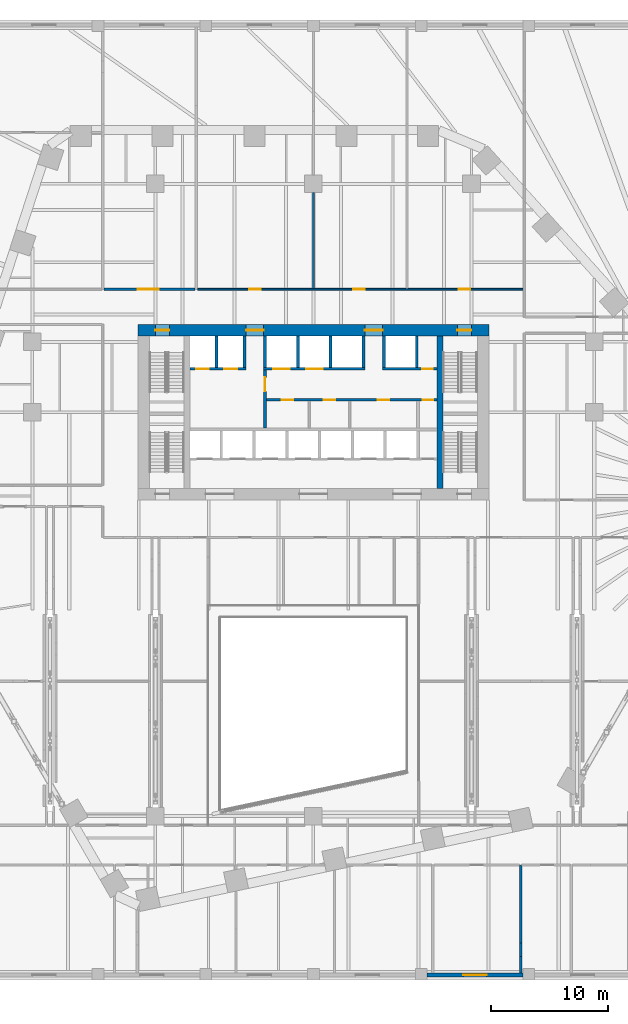
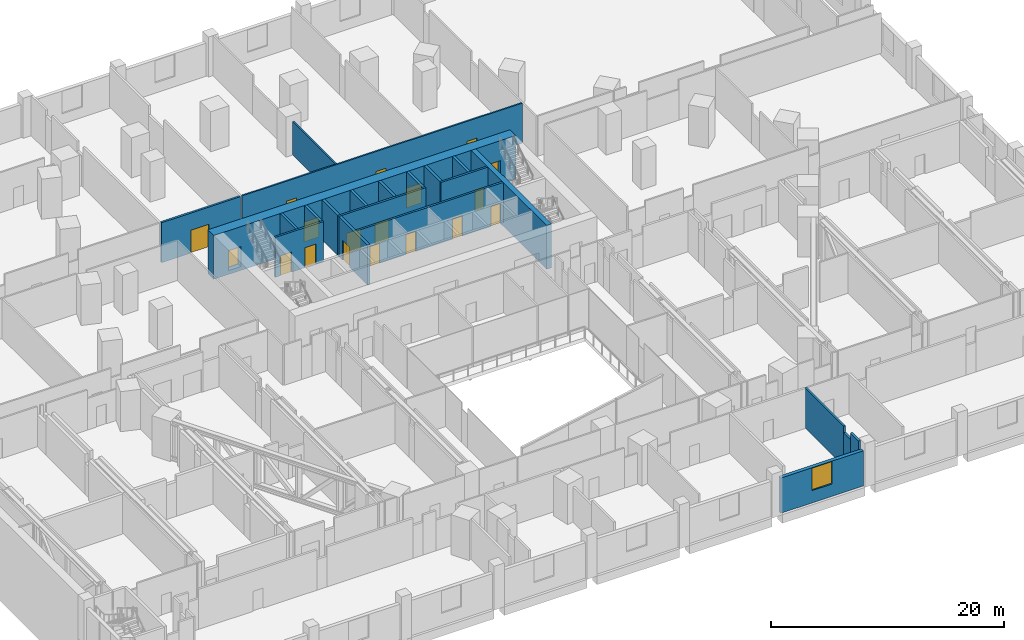
# One storey, part 18 of 32: 22 walls, 18 doors, 1 window, 19 openings.
"""IFC4 building model written with IfcOpenShell, lengths in metres."""

from ifc_helpers import new_model, si_unit, direction, frame, frame_2d, origin, place, context, subcontext, project, spatial, rectangle, extrude, material, layer, layer_set, type_object, element, fill, save


model = new_model("IFC4")

# Units and contexts
model_context = context("Model", 3, precision=1e-05, world=origin(), true_north=direction((0.0, 1.0)))
body_context = subcontext(model_context, "Body", "Model", "MODEL_VIEW")
ifc_project = project(units=[si_unit("LENGTHUNIT", "METRE"), si_unit("AREAUNIT", "SQUARE_METRE"), si_unit("VOLUMEUNIT", "CUBIC_METRE"), si_unit("PLANEANGLEUNIT", "RADIAN"), si_unit("MASSUNIT", "GRAM", prefix="KILO")], contexts=[model_context])

# Site, building, storey
site_placement = place(None, origin())
site = spatial("IfcSite", under=ifc_project, at=site_placement, CompositionType="ELEMENT")
building_placement = place(site_placement, origin())
building = spatial("IfcBuilding", under=site, at=building_placement, Name="Isthmus Gate Tower", CompositionType="ELEMENT")
storey_placement = place(building_placement, frame((0.0, 0.0, 18.0)))
storey = spatial("IfcBuildingStorey", under=building, at=storey_placement, Name="L02", CompositionType="ELEMENT", Elevation=18.0)

# Wall, opening, door
ifc_material_1 = material(Name="Fire-rated blockwork masonry, 15 MPa", Category="masonry")
ifc_layer_1 = layer(ifc_material_1, 0.25)
ifc_layer_set_1 = layer_set([ifc_layer_1], Name="FIRE-FIGHTING LOBBY WALL 250 90 MIN")
wall_type_1 = type_object("IfcWallType", Name="FIRE-FIGHTING LOBBY WALL 250 90 MIN", PredefinedType="PARTITIONING", material=ifc_layer_set_1)
wall_1_placement = place(storey_placement, frame((-4.125, 6.14990234375, 0.0), z_axis=(0.0, 0.0, 1.0), x_axis=(0.0, 1.0, 0.0)))
wall_1 = element("IfcWall", 1, at=wall_1_placement, inside=storey, type_object=wall_type_1, Name="L02 FIRE-FIGHTING LOBBY WALL 250 90 MIN", PredefinedType="PARTITIONING", context=body_context, shape_type="SweptSolid", body=[
    extrude(rectangle(XDim=4.9501953125, YDim=0.25, at=frame_2d((2.47509765625, 0.0))), origin(), (0.0, 0.0, 1.0), 4.199951171875),
])
opening_1_placement = place(wall_1_placement, frame((3.125, 0.0, 0.0)))
opening_1 = element("IfcOpeningElement", 2, at=opening_1_placement, cuts=wall_1, Name="Opening DC-A03-01", PredefinedType="OPENING", context=body_context, shape_type="SweptSolid", body=[
    extrude(rectangle(XDim=1.199951171875, YDim=2.10009765625, at=frame_2d((0.60009765625, 1.050048828125))), frame((0.0, 0.135009765625, 0.0), z_axis=(0.0, -1.0, 0.0), x_axis=(1.0, 0.0, 0.0)), (0.0, 0.0, 1.0), 0.27001953125),
])
ifc_material_2 = material(Name="Steel door leaf, fire-rated", Category="steel")
door_type_1 = type_object("IfcDoorType", Name="LOBBY FIRE DOOR 1200 X 2100 90 MIN", OperationType="DOUBLE_DOOR_SINGLE_SWING", PredefinedType="DOOR", material=ifc_material_2)
door_1_placement = place(opening_1_placement, origin())
door_1 = element("IfcDoor", 3, at=door_1_placement, inside=storey, type_object=door_type_1, Name="Fire-fighting Lobby Door", OperationType="SINGLE_SWING_LEFT", OverallHeight=2.10009765625, OverallWidth=1.199951171875, PredefinedType="DOOR", context=body_context, shape_type="SweptSolid", body=[
    extrude(rectangle(XDim=1.199951171875, YDim=2.10009765625, at=frame_2d((0.60009765625, 1.050048828125))), frame((0.0, 0.02490234375, 0.0), z_axis=(0.0, -1.0, 0.0), x_axis=(1.0, 0.0, 0.0)), (0.0, 0.0, 1.0), 0.050048828125),
])
fill(opening_1, door_1)

ifc_material_3 = material(Name="Concrete f'c 30 MPa", Category="concrete")
ifc_layer_2 = layer(ifc_material_3, 0.199951171875)
ifc_layer_set_2 = layer_set([ifc_layer_2], Name="Fire-rated block wall 200")
wall_type_2 = type_object("IfcWallType", Name="Fire-rated block wall 200", PredefinedType="PARTITIONING", material=ifc_layer_set_2)
wall_2_placement = place(storey_placement, frame((-17.89990234375, 18.0, 0.0), z_axis=(0.0, 0.0, 1.0), x_axis=(1.0, 0.0, 0.0)))
wall_2 = element("IfcWall", 4, at=wall_2_placement, inside=storey, type_object=wall_type_2, Name="Fire-rated wall", PredefinedType="PARTITIONING", context=body_context, shape_type="SweptSolid", body=[
    extrude(rectangle(XDim=7.7998046875, YDim=0.199951171875, at=frame_2d((3.89990234375, 0.0))), origin(), (0.0, 0.0, 1.0), 4.199951171875),
])
opening_2_placement = place(wall_2_placement, frame((2.89990234375, 0.0, 0.0)))
opening_2 = element("IfcOpeningElement", 5, at=opening_2_placement, cuts=wall_2, Name="Opening DP02-43", PredefinedType="OPENING", context=body_context, shape_type="SweptSolid", body=[
    extrude(rectangle(XDim=1.800048828125, YDim=2.39990234375, at=frame_2d((0.89990234375, 1.199951171875))), frame((0.0, 0.10986328125, 0.0), z_axis=(0.0, -1.0, 0.0), x_axis=(1.0, 0.0, 0.0)), (0.0, 0.0, 1.0), 0.219970703125),
])
ifc_material_4 = material(Name="Steel fire doors with intumescent seals", Category="steel")
door_type_2 = type_object("IfcDoorType", Name="Double fire door 1800 x 2400", OperationType="DOUBLE_DOOR_SINGLE_SWING", PredefinedType="DOOR", material=ifc_material_4)
door_2_placement = place(opening_2_placement, origin())
door_2 = element("IfcDoor", 6, at=door_2_placement, inside=storey, type_object=door_type_2, Name="Door DP02-43", OperationType="SINGLE_SWING_LEFT", OverallHeight=2.39990234375, OverallWidth=1.800048828125, PredefinedType="DOOR", context=body_context, shape_type="SweptSolid", body=[
    extrude(rectangle(XDim=1.800048828125, YDim=2.39990234375, at=frame_2d((0.89990234375, 1.199951171875))), frame((0.0, 0.02490234375, 0.0), z_axis=(0.0, -1.0, 0.0), x_axis=(1.0, 0.0, 0.0)), (0.0, 0.0, 1.0), 0.050048828125),
])
fill(opening_2, door_2)

# Walls
wall_3_placement = place(storey_placement, frame((17.714111328125, -40.39990234375, 0.0), z_axis=(0.0, 0.0, 1.0), x_axis=(0.0, 1.0, 0.0)))
element("IfcWall", 7, at=wall_3_placement, inside=storey, type_object=wall_type_2, Name="Fire-rated wall", PredefinedType="PARTITIONING", context=body_context, shape_type="SweptSolid", body=[
    extrude(rectangle(XDim=1.409912109375, YDim=0.199951171875, at=frame_2d((0.705078125, 0.0))), origin(), (0.0, 0.0, 1.0), 4.199951171875),
])
wall_4_placement = place(storey_placement, frame((17.714111328125, -38.989990234375, 0.0), z_axis=(0.0, 0.0, 1.0), x_axis=(0.0, 1.0, 0.0)))
element("IfcWall", 8, at=wall_4_placement, inside=storey, type_object=wall_type_2, Name="Fire-rated wall", PredefinedType="PARTITIONING", context=body_context, shape_type="SweptSolid", body=[
    extrude(rectangle(XDim=1.1552734375, YDim=0.199951171875, at=frame_2d((0.57763671875, 0.0))), origin(), (0.0, 0.0, 1.0), 3.5205078125),
])
wall_5_placement = place(storey_placement, frame((17.714111328125, -37.834716796875, 0.0), z_axis=(0.0, 0.0, 1.0), x_axis=(0.0, 1.0, 0.0)))
element("IfcWall", 9, at=wall_5_placement, inside=storey, type_object=wall_type_2, Name="Fire-rated wall", PredefinedType="PARTITIONING", context=body_context, shape_type="SweptSolid", body=[
    extrude(rectangle(XDim=6.65576171875, YDim=0.199951171875, at=frame_2d((3.327880859375, 0.0))), origin(), (0.0, 0.0, 1.0), 4.199951171875),
])

# Wall, opening, window
ifc_material_5 = material(Name="Precast concrete C40/50, limestone-faced", Category="masonry")
ifc_layer_3 = layer(ifc_material_5, 0.35009765625)
ifc_layer_set_3 = layer_set([ifc_layer_3], Name="PODIUM CLADDING WALL 350")
wall_type_3 = type_object("IfcWallType", Name="PODIUM CLADDING WALL 350", PredefinedType="SOLIDWALL", material=ifc_layer_set_3)
wall_6_placement = place(storey_placement, frame((9.699951171875, -40.574951171875, -0.39990234375), z_axis=(0.0, 0.0, 1.0), x_axis=(1.0, 0.0, 0.0)))
wall_6 = element("IfcWall", 10, at=wall_6_placement, inside=storey, type_object=wall_type_3, Name="PODIUM WALL", PredefinedType="SOLIDWALL", context=body_context, shape_type="SweptSolid", body=[
    extrude(rectangle(XDim=8.199951171875, YDim=0.35009765625, at=frame_2d((4.10009765625, 0.0))), origin(), (0.0, 0.0, 1.0), 3.699951171875),
])
opening_3_placement = place(wall_6_placement, frame((3.10009765625, 0.0, 1.300048828125)))
opening_3 = element("IfcOpeningElement", 11, at=opening_3_placement, cuts=wall_6, Name="Opening W007", PredefinedType="OPENING", context=body_context, shape_type="SweptSolid", body=[
    extrude(rectangle(XDim=2.0, YDim=2.35009765625, at=frame_2d((1.0, 1.175048828125))), frame((0.0, 0.18505859375, 0.0), z_axis=(0.0, -1.0, 0.0), x_axis=(1.0, 0.0, 0.0)), (0.0, 0.0, 1.0), 0.3701171875),
])
ifc_material_6 = material(Name="Aluminium, pale champagne anodised, laminated glass", Category="aluminium")
window_type = type_object("IfcWindowType", Name="PODIUM SLOT WINDOW 2000 X 2350", PartitioningType="SINGLE_PANEL", PredefinedType="WINDOW", material=ifc_material_6)
window_placement = place(opening_3_placement, origin())
window = element("IfcWindow", 12, at=window_placement, inside=storey, type_object=window_type, Name="SLOT WINDOW", OverallHeight=2.35009765625, OverallWidth=2.0, PartitioningType="SINGLE_PANEL", PredefinedType="WINDOW", context=body_context, shape_type="SweptSolid", body=[
    extrude(rectangle(XDim=2.0, YDim=2.35009765625, at=frame_2d((1.0, 1.175048828125))), frame((0.0, 0.030029296875, 0.0), z_axis=(0.0, -1.0, 0.0), x_axis=(1.0, 0.0, 0.0)), (0.0, 0.0, 1.0), 0.06005859375),
])
fill(opening_3, window)

# Wall, openings, doors
ifc_material_7 = material(Name="Gypsum board on cold-formed steel studs", Category="steel")
ifc_layer_4 = layer(ifc_material_7, 0.14990234375)
ifc_layer_set_4 = layer_set([ifc_layer_4])
wall_type_4 = type_object("IfcWallType", Name="Partition 150 gypsum board on steel studs", PredefinedType="PARTITIONING", material=ifc_layer_set_4)
wall_7_placement = place(storey_placement, frame((-9.89990234375, 18.0, 0.0), z_axis=(0.0, 0.0, 1.0), x_axis=(1.0, 0.0, 0.0)))
wall_7 = element("IfcWall", 13, at=wall_7_placement, inside=storey, type_object=wall_type_4, Name="Partition", PredefinedType="PARTITIONING", context=body_context, shape_type="SweptSolid", body=[
    extrude(rectangle(XDim=27.824951171875, YDim=0.14990234375, at=frame_2d((13.91259765625, 0.0))), origin(), (0.0, 0.0, 1.0), 4.199951171875),
])
opening_4_placement = place(wall_7_placement, frame((4.39990234375, 0.0, 0.0)))
opening_4 = element("IfcOpeningElement", 14, at=opening_4_placement, cuts=wall_7, Name="Opening DP02-44", PredefinedType="OPENING", context=body_context, shape_type="SweptSolid", body=[
    extrude(rectangle(XDim=1.0, YDim=2.10009765625, at=frame_2d((0.5, 1.050048828125))), frame((0.0, 0.0849609375, 0.0), z_axis=(0.0, -1.0, 0.0), x_axis=(1.0, 0.0, 0.0)), (0.0, 0.0, 1.0), 0.169921875),
])
opening_5_placement = place(wall_7_placement, frame((13.300048828125, 0.0, 0.0)))
opening_5 = element("IfcOpeningElement", 15, at=opening_5_placement, cuts=wall_7, Name="Opening DP02-45", PredefinedType="OPENING", context=body_context, shape_type="SweptSolid", body=[
    extrude(rectangle(XDim=1.0, YDim=2.10009765625, at=frame_2d((0.5, 1.050048828125))), frame((0.0, 0.0849609375, 0.0), z_axis=(0.0, -1.0, 0.0), x_axis=(1.0, 0.0, 0.0)), (0.0, 0.0, 1.0), 0.169921875),
])
opening_6_placement = place(wall_7_placement, frame((22.300048828125, 0.0, 0.0)))
opening_6 = element("IfcOpeningElement", 16, at=opening_6_placement, cuts=wall_7, Name="Opening DP02-46", PredefinedType="OPENING", context=body_context, shape_type="SweptSolid", body=[
    extrude(rectangle(XDim=1.0, YDim=2.10009765625, at=frame_2d((0.5, 1.050048828125))), frame((0.0, 0.0849609375, 0.0), z_axis=(0.0, -1.0, 0.0), x_axis=(1.0, 0.0, 0.0)), (0.0, 0.0, 1.0), 0.169921875),
])
ifc_material_8 = material(Name="Hollow metal frame with solid-core timber leaf", Category="wood")
door_type_3 = type_object("IfcDoorType", Name="Single swing door 1000 x 2100", OperationType="SINGLE_SWING_LEFT", PredefinedType="DOOR", material=ifc_material_8)
door_3_placement = place(opening_4_placement, origin())
door_3 = element("IfcDoor", 17, at=door_3_placement, inside=storey, type_object=door_type_3, Name="Door DP02-44", OperationType="SINGLE_SWING_LEFT", OverallHeight=2.10009765625, OverallWidth=1.0, PredefinedType="DOOR", context=body_context, shape_type="SweptSolid", body=[
    extrude(rectangle(XDim=1.0, YDim=2.10009765625, at=frame_2d((0.5, 1.050048828125))), frame((0.0, 0.02490234375, 0.0), z_axis=(0.0, -1.0, 0.0), x_axis=(1.0, 0.0, 0.0)), (0.0, 0.0, 1.0), 0.050048828125),
])
fill(opening_4, door_3)
door_4_placement = place(opening_5_placement, origin())
door_4 = element("IfcDoor", 18, at=door_4_placement, inside=storey, type_object=door_type_3, Name="Door DP02-45", OperationType="SINGLE_SWING_LEFT", OverallHeight=2.10009765625, OverallWidth=1.0, PredefinedType="DOOR", context=body_context, shape_type="SweptSolid", body=[
    extrude(rectangle(XDim=1.0, YDim=2.10009765625, at=frame_2d((0.5, 1.050048828125))), frame((0.0, 0.02490234375, 0.0), z_axis=(0.0, -1.0, 0.0), x_axis=(1.0, 0.0, 0.0)), (0.0, 0.0, 1.0), 0.050048828125),
])
fill(opening_5, door_4)
door_5_placement = place(opening_6_placement, origin())
door_5 = element("IfcDoor", 19, at=door_5_placement, inside=storey, type_object=door_type_3, Name="Door DP02-46", OperationType="SINGLE_SWING_LEFT", OverallHeight=2.10009765625, OverallWidth=1.0, PredefinedType="DOOR", context=body_context, shape_type="SweptSolid", body=[
    extrude(rectangle(XDim=1.0, YDim=2.10009765625, at=frame_2d((0.5, 1.050048828125))), frame((0.0, 0.02490234375, 0.0), z_axis=(0.0, -1.0, 0.0), x_axis=(1.0, 0.0, 0.0)), (0.0, 0.0, 1.0), 0.050048828125),
])
fill(opening_6, door_5)

# Walls
wall_8_placement = place(storey_placement, frame((0.0, 18.074951171875, 0.0), z_axis=(0.0, 0.0, 1.0), x_axis=(0.0, 1.0, 0.0)))
element("IfcWall", 20, at=wall_8_placement, inside=storey, type_object=wall_type_4, Name="Partition", PredefinedType="PARTITIONING", context=body_context, shape_type="SweptSolid", body=[
    extrude(rectangle(XDim=8.175048828125, YDim=0.14990234375, at=frame_2d((4.08740234375, 0.0))), origin(), (0.0, 0.0, 1.0), 3.5205078125),
])
ifc_material_9 = material(Name="Concrete f'c 70 MPa", Category="concrete")
ifc_layer_5 = layer(ifc_material_9, 0.5)
ifc_layer_set_5 = layer_set([ifc_layer_5], Name="RC CORE SPINE WALL 500 F'C 70")
wall_type_5 = type_object("IfcWallType", Name="RC CORE SPINE WALL 500 F'C 70", PredefinedType="SOLIDWALL", material=ifc_layer_set_5)
wall_9_placement = place(storey_placement, frame((10.800048828125, 1.0, -0.39990234375), z_axis=(0.0, 0.0, 1.0), x_axis=(0.0, 1.0, 0.0)))
element("IfcWall", 21, at=wall_9_placement, inside=storey, type_object=wall_type_5, Name="str-corewall-L02-SPE", PredefinedType="SOLIDWALL", context=body_context, shape_type="SweptSolid", body=[
    extrude(rectangle(XDim=13.0, YDim=0.5, at=frame_2d((6.5, 0.0))), origin(), (0.0, 0.0, 1.0), 4.599853515625),
])

# Wall, openings, doors
ifc_material_10 = material(Name="Concrete f'c 70 MPa", Category="concrete")
ifc_layer_6 = layer(ifc_material_10, 1.0)
ifc_layer_set_6 = layer_set([ifc_layer_6], Name="RC CORE WALL 1000 F'C 70")
wall_type_6 = type_object("IfcWallType", Name="RC CORE WALL 1000 F'C 70", PredefinedType="SOLIDWALL", material=ifc_layer_set_6)
wall_10_placement = place(storey_placement, frame((-15.0, 14.5, -0.39990234375), z_axis=(0.0, 0.0, 1.0), x_axis=(1.0, 0.0, 0.0)))
wall_10 = element("IfcWall", 22, at=wall_10_placement, inside=storey, type_object=wall_type_6, Name="str-corewall-L02-N", PredefinedType="SOLIDWALL", context=body_context, shape_type="SweptSolid", body=[
    extrude(rectangle(XDim=30.0, YDim=1.0, at=frame_2d((15.0, 0.0))), origin(), (0.0, 0.0, 1.0), 4.599853515625),
])
opening_7_placement = place(wall_10_placement, frame((9.25, 0.0, 0.39990234375)))
opening_7 = element("IfcOpeningElement", 23, at=opening_7_placement, cuts=wall_10, Name="Opening DC-A03-11", PredefinedType="OPENING", context=body_context, shape_type="SweptSolid", body=[
    extrude(rectangle(XDim=1.5, YDim=2.10009765625, at=frame_2d((0.75, 1.050048828125))), frame((0.0, 0.510009765625, 0.0), z_axis=(0.0, -1.0, 0.0), x_axis=(1.0, 0.0, 0.0)), (0.0, 0.0, 1.0), 1.02001953125),
])
opening_8_placement = place(wall_10_placement, frame((19.39990234375, 0.0, 0.39990234375)))
opening_8 = element("IfcOpeningElement", 24, at=opening_8_placement, cuts=wall_10, Name="Opening DC-A03-12", PredefinedType="OPENING", context=body_context, shape_type="SweptSolid", body=[
    extrude(rectangle(XDim=1.5, YDim=2.10009765625, at=frame_2d((0.75, 1.050048828125))), frame((0.0, 0.510009765625, 0.0), z_axis=(0.0, -1.0, 0.0), x_axis=(1.0, 0.0, 0.0)), (0.0, 0.0, 1.0), 1.02001953125),
])
opening_9_placement = place(wall_10_placement, frame((1.5, 0.0, 0.39990234375)))
opening_9 = element("IfcOpeningElement", 25, at=opening_9_placement, cuts=wall_10, Name="Opening DC-A03-13", PredefinedType="OPENING", context=body_context, shape_type="SweptSolid", body=[
    extrude(rectangle(XDim=1.199951171875, YDim=2.10009765625, at=frame_2d((0.60009765625, 1.050048828125))), frame((0.0, 0.510009765625, 0.0), z_axis=(0.0, -1.0, 0.0), x_axis=(1.0, 0.0, 0.0)), (0.0, 0.0, 1.0), 1.02001953125),
])
opening_10_placement = place(wall_10_placement, frame((27.300048828125, 0.0, 0.39990234375)))
opening_10 = element("IfcOpeningElement", 26, at=opening_10_placement, cuts=wall_10, Name="Opening DC-A03-14", PredefinedType="OPENING", context=body_context, shape_type="SweptSolid", body=[
    extrude(rectangle(XDim=1.199951171875, YDim=2.10009765625, at=frame_2d((0.60009765625, 1.050048828125))), frame((0.0, 0.510009765625, 0.0), z_axis=(0.0, -1.0, 0.0), x_axis=(1.0, 0.0, 0.0)), (0.0, 0.0, 1.0), 1.02001953125),
])
ifc_material_11 = material(Name="Steel door leaf, fire-rated", Category="steel")
door_type_4 = type_object("IfcDoorType", Name="LOBBY FIRE DOOR 1500 X 2100 60 MIN", OperationType="DOUBLE_DOOR_SINGLE_SWING", PredefinedType="DOOR", material=ifc_material_11)
door_6_placement = place(opening_8_placement, origin())
door_6 = element("IfcDoor", 27, at=door_6_placement, inside=storey, type_object=door_type_4, Name="Lobby Door PN-E", OperationType="DOUBLE_DOOR_SINGLE_SWING", OverallHeight=2.10009765625, OverallWidth=1.5, PredefinedType="DOOR", context=body_context, shape_type="SweptSolid", body=[
    extrude(rectangle(XDim=1.5, YDim=2.10009765625, at=frame_2d((0.75, 1.050048828125))), frame((0.0, 0.02490234375, 0.0), z_axis=(0.0, -1.0, 0.0), x_axis=(1.0, 0.0, 0.0)), (0.0, 0.0, 1.0), 0.050048828125),
])
fill(opening_8, door_6)
ifc_material_12 = material(Name="Steel door leaf, fire-rated", Category="steel")
door_type_5 = type_object("IfcDoorType", Name="LOBBY FIRE DOOR 1500 X 2100 90 MIN", OperationType="DOUBLE_DOOR_SINGLE_SWING", PredefinedType="DOOR", material=ifc_material_12)
door_7_placement = place(opening_7_placement, origin())
door_7 = element("IfcDoor", 28, at=door_7_placement, inside=storey, type_object=door_type_5, Name="Lobby Door PN-W", OperationType="DOUBLE_DOOR_SINGLE_SWING", OverallHeight=2.10009765625, OverallWidth=1.5, PredefinedType="DOOR", context=body_context, shape_type="SweptSolid", body=[
    extrude(rectangle(XDim=1.5, YDim=2.10009765625, at=frame_2d((0.75, 1.050048828125))), frame((0.0, 0.02490234375, 0.0), z_axis=(0.0, -1.0, 0.0), x_axis=(1.0, 0.0, 0.0)), (0.0, 0.0, 1.0), 0.050048828125),
])
fill(opening_7, door_7)
ifc_material_13 = material(Name="Steel door leaf, fire-rated", Category="steel")
door_type_6 = type_object("IfcDoorType", Name="STAIR FIRE DOOR 1200 X 2100 90 MIN", OperationType="SINGLE_SWING_LEFT", PredefinedType="DOOR", material=ifc_material_13)
door_8_placement = place(opening_9_placement, origin())
door_8 = element("IfcDoor", 29, at=door_8_placement, inside=storey, type_object=door_type_6, Name="Exit Stair 1 Door", OperationType="SINGLE_SWING_RIGHT", OverallHeight=2.10009765625, OverallWidth=1.199951171875, PredefinedType="DOOR", context=body_context, shape_type="SweptSolid", body=[
    extrude(rectangle(XDim=1.199951171875, YDim=2.10009765625, at=frame_2d((0.60009765625, 1.050048828125))), frame((0.0, 0.02490234375, 0.0), z_axis=(0.0, -1.0, 0.0), x_axis=(1.0, 0.0, 0.0)), (0.0, 0.0, 1.0), 0.050048828125),
])
fill(opening_9, door_8)
door_9_placement = place(opening_10_placement, origin())
door_9 = element("IfcDoor", 30, at=door_9_placement, inside=storey, type_object=door_type_6, Name="Exit Stair 2 Door", OperationType="SINGLE_SWING_LEFT", OverallHeight=2.10009765625, OverallWidth=1.199951171875, PredefinedType="DOOR", context=body_context, shape_type="SweptSolid", body=[
    extrude(rectangle(XDim=1.199951171875, YDim=2.10009765625, at=frame_2d((0.60009765625, 1.050048828125))), frame((0.0, 0.02490234375, 0.0), z_axis=(0.0, -1.0, 0.0), x_axis=(1.0, 0.0, 0.0)), (0.0, 0.0, 1.0), 0.050048828125),
])
fill(opening_10, door_9)

ifc_material_14 = material(Name="Fire-rated blockwork masonry, 15 MPa", Category="masonry")
ifc_layer_7 = layer(ifc_material_14, 0.199951171875)
ifc_layer_set_7 = layer_set([ifc_layer_7], Name="SHAFT FRONT WALL 200 120 MIN")
wall_type_7 = type_object("IfcWallType", Name="SHAFT FRONT WALL 200 120 MIN", PredefinedType="PARTITIONING", material=ifc_layer_set_7)
wall_11_placement = place(storey_placement, frame((-4.125, 8.550048828125, 0.0), z_axis=(0.0, 0.0, 1.0), x_axis=(1.0, 0.0, 0.0)))
wall_11 = element("IfcWall", 31, at=wall_11_placement, inside=storey, type_object=wall_type_7, Name="L02 SHAFT FRONT WALL 200 120 MIN", PredefinedType="PARTITIONING", context=body_context, shape_type="SweptSolid", body=[
    extrude(rectangle(XDim=14.675048828125, YDim=0.199951171875, at=frame_2d((7.33740234375, 0.0))), origin(), (0.0, 0.0, 1.0), 4.199951171875),
])
opening_11_placement = place(wall_11_placement, frame((1.41259765625, 0.0, 0.0)))
opening_11 = element("IfcOpeningElement", 32, at=opening_11_placement, cuts=wall_11, Name="Opening DC-A03-03", PredefinedType="OPENING", context=body_context, shape_type="SweptSolid", body=[
    extrude(rectangle(XDim=1.0, YDim=2.10009765625, at=frame_2d((0.5, 1.050048828125))), frame((0.0, 0.10986328125, 0.0), z_axis=(0.0, -1.0, 0.0), x_axis=(1.0, 0.0, 0.0)), (0.0, 0.0, 1.0), 0.219970703125),
])
opening_12_placement = place(wall_11_placement, frame((5.0, 0.0, 0.0)))
opening_12 = element("IfcOpeningElement", 33, at=opening_12_placement, cuts=wall_11, Name="Opening DC-A03-04", PredefinedType="OPENING", context=body_context, shape_type="SweptSolid", body=[
    extrude(rectangle(XDim=1.0, YDim=2.10009765625, at=frame_2d((0.5, 1.050048828125))), frame((0.0, 0.10986328125, 0.0), z_axis=(0.0, -1.0, 0.0), x_axis=(1.0, 0.0, 0.0)), (0.0, 0.0, 1.0), 0.219970703125),
])
opening_13_placement = place(wall_11_placement, frame((9.612548828125, 0.0, 0.0)))
opening_13 = element("IfcOpeningElement", 34, at=opening_13_placement, cuts=wall_11, Name="Opening DC-A03-05", PredefinedType="OPENING", context=body_context, shape_type="SweptSolid", body=[
    extrude(rectangle(XDim=1.0, YDim=2.10009765625, at=frame_2d((0.5, 1.050048828125))), frame((0.0, 0.10986328125, 0.0), z_axis=(0.0, -1.0, 0.0), x_axis=(1.0, 0.0, 0.0)), (0.0, 0.0, 1.0), 0.219970703125),
])
opening_14_placement = place(wall_11_placement, frame((13.47509765625, 0.0, 0.0)))
opening_14 = element("IfcOpeningElement", 35, at=opening_14_placement, cuts=wall_11, Name="Opening DC-A03-06", PredefinedType="OPENING", context=body_context, shape_type="SweptSolid", body=[
    extrude(rectangle(XDim=0.89990234375, YDim=2.10009765625, at=frame_2d((0.449951171875, 1.050048828125))), frame((0.0, 0.10986328125, 0.0), z_axis=(0.0, -1.0, 0.0), x_axis=(1.0, 0.0, 0.0)), (0.0, 0.0, 1.0), 0.219970703125),
])
ifc_material_15 = material(Name="Steel door leaf, fire-rated", Category="steel")
door_type_7 = type_object("IfcDoorType", Name="FIRE DOOR 1000 X 2100 60 MIN", OperationType="SINGLE_SWING_LEFT", PredefinedType="DOOR", material=ifc_material_15)
door_10_placement = place(opening_11_placement, origin())
door_10 = element("IfcDoor", 36, at=door_10_placement, inside=storey, type_object=door_type_7, Name="WC Men Door", OperationType="SINGLE_SWING_LEFT", OverallHeight=2.10009765625, OverallWidth=1.0, PredefinedType="DOOR", context=body_context, shape_type="SweptSolid", body=[
    extrude(rectangle(XDim=1.0, YDim=2.10009765625, at=frame_2d((0.5, 1.050048828125))), frame((0.0, 0.02490234375, 0.0), z_axis=(0.0, -1.0, 0.0), x_axis=(1.0, 0.0, 0.0)), (0.0, 0.0, 1.0), 0.050048828125),
])
fill(opening_11, door_10)
door_11_placement = place(opening_12_placement, origin())
door_11 = element("IfcDoor", 37, at=door_11_placement, inside=storey, type_object=door_type_7, Name="WC Women Door", OperationType="SINGLE_SWING_RIGHT", OverallHeight=2.10009765625, OverallWidth=1.0, PredefinedType="DOOR", context=body_context, shape_type="SweptSolid", body=[
    extrude(rectangle(XDim=1.0, YDim=2.10009765625, at=frame_2d((0.5, 1.050048828125))), frame((0.0, 0.02490234375, 0.0), z_axis=(0.0, -1.0, 0.0), x_axis=(1.0, 0.0, 0.0)), (0.0, 0.0, 1.0), 0.050048828125),
])
fill(opening_12, door_11)
door_12_placement = place(opening_13_placement, origin())
door_12 = element("IfcDoor", 38, at=door_12_placement, inside=storey, type_object=door_type_7, Name="Accessible WC Door", OperationType="SINGLE_SWING_LEFT", OverallHeight=2.10009765625, OverallWidth=1.0, PredefinedType="DOOR", context=body_context, shape_type="SweptSolid", body=[
    extrude(rectangle(XDim=1.0, YDim=2.10009765625, at=frame_2d((0.5, 1.050048828125))), frame((0.0, 0.02490234375, 0.0), z_axis=(0.0, -1.0, 0.0), x_axis=(1.0, 0.0, 0.0)), (0.0, 0.0, 1.0), 0.050048828125),
])
fill(opening_13, door_12)
ifc_material_16 = material(Name="Steel door leaf, fire-rated", Category="steel")
door_type_8 = type_object("IfcDoorType", Name="RISER FIRE DOOR 900 X 2100 90 MIN", OperationType="SINGLE_SWING_LEFT", PredefinedType="DOOR", material=ifc_material_16)
door_13_placement = place(opening_14_placement, origin())
door_13 = element("IfcDoor", 39, at=door_13_placement, inside=storey, type_object=door_type_8, Name="Riser Door", OperationType="SINGLE_SWING_RIGHT", OverallHeight=2.10009765625, OverallWidth=0.89990234375, PredefinedType="DOOR", context=body_context, shape_type="SweptSolid", body=[
    extrude(rectangle(XDim=0.89990234375, YDim=2.10009765625, at=frame_2d((0.449951171875, 1.050048828125))), frame((0.0, 0.02490234375, 0.0), z_axis=(0.0, -1.0, 0.0), x_axis=(1.0, 0.0, 0.0)), (0.0, 0.0, 1.0), 0.050048828125),
])
fill(opening_14, door_13)

wall_12_placement = place(storey_placement, frame((-10.550048828125, 11.199951171875, 0.0), z_axis=(0.0, 0.0, 1.0), x_axis=(1.0, 0.0, 0.0)))
wall_12 = element("IfcWall", 40, at=wall_12_placement, inside=storey, type_object=wall_type_7, Name="L02 SHAFT FRONT WALL 200 120 MIN", PredefinedType="PARTITIONING", context=body_context, shape_type="SweptSolid", body=[
    extrude(rectangle(XDim=4.800048828125, YDim=0.199951171875, at=frame_2d((2.39990234375, 0.0))), origin(), (0.0, 0.0, 1.0), 4.199951171875),
])
opening_15_placement = place(wall_12_placement, frame((0.52490234375, 0.0, 0.0)))
opening_15 = element("IfcOpeningElement", 41, at=opening_15_placement, cuts=wall_12, Name="Opening LD-LF1", PredefinedType="OPENING", context=body_context, shape_type="SweptSolid", body=[
    extrude(rectangle(XDim=1.10009765625, YDim=2.10009765625, at=frame_2d((0.550048828125, 1.050048828125))), frame((0.0, 0.10986328125, 0.0), z_axis=(0.0, -1.0, 0.0), x_axis=(1.0, 0.0, 0.0)), (0.0, 0.0, 1.0), 0.219970703125),
])
opening_16_placement = place(wall_12_placement, frame((2.925048828125, 0.0, 0.0)))
opening_16 = element("IfcOpeningElement", 42, at=opening_16_placement, cuts=wall_12, Name="Opening LD-LF2", PredefinedType="OPENING", context=body_context, shape_type="SweptSolid", body=[
    extrude(rectangle(XDim=1.10009765625, YDim=2.10009765625, at=frame_2d((0.550048828125, 1.050048828125))), frame((0.0, 0.10986328125, 0.0), z_axis=(0.0, -1.0, 0.0), x_axis=(1.0, 0.0, 0.0)), (0.0, 0.0, 1.0), 0.219970703125),
])
ifc_material_17 = material(Name="Stainless steel sliding leaf", Category="steel")
door_type_9 = type_object("IfcDoorType", Name="LIFT LANDING FIRE DOOR 1100 X 2100 90 MIN", OperationType="DOUBLE_DOOR_SLIDING", PredefinedType="DOOR", material=ifc_material_17)
door_14_placement = place(opening_15_placement, origin())
door_14 = element("IfcDoor", 43, at=door_14_placement, inside=storey, type_object=door_type_9, Name="Lift Landing Door LF1", OperationType="DOUBLE_DOOR_SLIDING", OverallHeight=2.10009765625, OverallWidth=1.10009765625, PredefinedType="DOOR", context=body_context, shape_type="SweptSolid", body=[
    extrude(rectangle(XDim=1.10009765625, YDim=2.10009765625, at=frame_2d((0.550048828125, 1.050048828125))), frame((0.0, 0.02490234375, 0.0), z_axis=(0.0, -1.0, 0.0), x_axis=(1.0, 0.0, 0.0)), (0.0, 0.0, 1.0), 0.050048828125),
])
fill(opening_15, door_14)
door_15_placement = place(opening_16_placement, origin())
door_15 = element("IfcDoor", 44, at=door_15_placement, inside=storey, type_object=door_type_9, Name="Lift Landing Door LF2", OperationType="DOUBLE_DOOR_SLIDING", OverallHeight=2.10009765625, OverallWidth=1.10009765625, PredefinedType="DOOR", context=body_context, shape_type="SweptSolid", body=[
    extrude(rectangle(XDim=1.10009765625, YDim=2.10009765625, at=frame_2d((0.550048828125, 1.050048828125))), frame((0.0, 0.02490234375, 0.0), z_axis=(0.0, -1.0, 0.0), x_axis=(1.0, 0.0, 0.0)), (0.0, 0.0, 1.0), 0.050048828125),
])
fill(opening_16, door_15)

wall_13_placement = place(storey_placement, frame((-4.25, 11.199951171875, 0.0), z_axis=(0.0, 0.0, 1.0), x_axis=(1.0, 0.0, 0.0)))
wall_13 = element("IfcWall", 45, at=wall_13_placement, inside=storey, type_object=wall_type_7, Name="L02 SHAFT FRONT WALL 200 120 MIN", PredefinedType="PARTITIONING", context=body_context, shape_type="SweptSolid", body=[
    extrude(rectangle(XDim=8.64990234375, YDim=0.199951171875, at=frame_2d((4.324951171875, 0.0))), origin(), (0.0, 0.0, 1.0), 4.199951171875),
])
opening_17_placement = place(wall_13_placement, frame((0.824951171875, 0.0, 0.0)))
opening_17 = element("IfcOpeningElement", 46, at=opening_17_placement, cuts=wall_13, Name="Opening LD-LV1", PredefinedType="OPENING", context=body_context, shape_type="SweptSolid", body=[
    extrude(rectangle(XDim=1.39990234375, YDim=2.10009765625, at=frame_2d((0.699951171875, 1.050048828125))), frame((0.0, 0.10986328125, 0.0), z_axis=(0.0, -1.0, 0.0), x_axis=(1.0, 0.0, 0.0)), (0.0, 0.0, 1.0), 0.219970703125),
])
opening_18_placement = place(wall_13_placement, frame((3.625, 0.0, 0.0)))
opening_18 = element("IfcOpeningElement", 47, at=opening_18_placement, cuts=wall_13, Name="Opening LD-LV2", PredefinedType="OPENING", context=body_context, shape_type="SweptSolid", body=[
    extrude(rectangle(XDim=1.39990234375, YDim=2.10009765625, at=frame_2d((0.699951171875, 1.050048828125))), frame((0.0, 0.10986328125, 0.0), z_axis=(0.0, -1.0, 0.0), x_axis=(1.0, 0.0, 0.0)), (0.0, 0.0, 1.0), 0.219970703125),
])
ifc_material_18 = material(Name="Stainless steel sliding leaf", Category="steel")
door_type_10 = type_object("IfcDoorType", Name="LIFT LANDING FIRE DOOR 1400 X 2100 90 MIN", OperationType="DOUBLE_DOOR_SLIDING", PredefinedType="DOOR", material=ifc_material_18)
door_16_placement = place(opening_17_placement, origin())
door_16 = element("IfcDoor", 48, at=door_16_placement, inside=storey, type_object=door_type_10, Name="Lift Landing Door LV1", OperationType="DOUBLE_DOOR_SLIDING", OverallHeight=2.10009765625, OverallWidth=1.39990234375, PredefinedType="DOOR", context=body_context, shape_type="SweptSolid", body=[
    extrude(rectangle(XDim=1.39990234375, YDim=2.10009765625, at=frame_2d((0.699951171875, 1.050048828125))), frame((0.0, 0.02490234375, 0.0), z_axis=(0.0, -1.0, 0.0), x_axis=(1.0, 0.0, 0.0)), (0.0, 0.0, 1.0), 0.050048828125),
])
fill(opening_17, door_16)
door_17_placement = place(opening_18_placement, origin())
door_17 = element("IfcDoor", 49, at=door_17_placement, inside=storey, type_object=door_type_10, Name="Lift Landing Door LV2", OperationType="DOUBLE_DOOR_SLIDING", OverallHeight=2.10009765625, OverallWidth=1.39990234375, PredefinedType="DOOR", context=body_context, shape_type="SweptSolid", body=[
    extrude(rectangle(XDim=1.39990234375, YDim=2.10009765625, at=frame_2d((0.699951171875, 1.050048828125))), frame((0.0, 0.02490234375, 0.0), z_axis=(0.0, -1.0, 0.0), x_axis=(1.0, 0.0, 0.0)), (0.0, 0.0, 1.0), 0.050048828125),
])
fill(opening_18, door_17)

# Wall, opening, door
wall_14_placement = place(storey_placement, frame((5.89990234375, 11.199951171875, 0.0), z_axis=(0.0, 0.0, 1.0), x_axis=(1.0, 0.0, 0.0)))
wall_14 = element("IfcWall", 50, at=wall_14_placement, inside=storey, type_object=wall_type_7, Name="L02 SHAFT FRONT WALL 200 120 MIN", PredefinedType="PARTITIONING", context=body_context, shape_type="SweptSolid", body=[
    extrude(rectangle(XDim=4.650146484375, YDim=0.199951171875, at=frame_2d((2.3251953125, 0.0))), origin(), (0.0, 0.0, 1.0), 4.199951171875),
])
opening_19_placement = place(wall_14_placement, frame((3.39990234375, 0.0, 0.0)))
opening_19 = element("IfcOpeningElement", 51, at=opening_19_placement, cuts=wall_14, Name="Opening DC-A03-07", PredefinedType="OPENING", context=body_context, shape_type="SweptSolid", body=[
    extrude(rectangle(XDim=0.89990234375, YDim=2.10009765625, at=frame_2d((0.449951171875, 1.050048828125))), frame((0.0, 0.10986328125, 0.0), z_axis=(0.0, -1.0, 0.0), x_axis=(1.0, 0.0, 0.0)), (0.0, 0.0, 1.0), 0.219970703125),
])
door_18_placement = place(opening_19_placement, origin())
door_18 = element("IfcDoor", 52, at=door_18_placement, inside=storey, type_object=door_type_8, Name="Riser Door", OperationType="SINGLE_SWING_LEFT", OverallHeight=2.10009765625, OverallWidth=0.89990234375, PredefinedType="DOOR", context=body_context, shape_type="SweptSolid", body=[
    extrude(rectangle(XDim=0.89990234375, YDim=2.10009765625, at=frame_2d((0.449951171875, 1.050048828125))), frame((0.0, 0.02490234375, 0.0), z_axis=(0.0, -1.0, 0.0), x_axis=(1.0, 0.0, 0.0)), (0.0, 0.0, 1.0), 0.050048828125),
])
fill(opening_19, door_18)

# Walls
ifc_material_19 = material(Name="Fire-rated blockwork masonry, 15 MPa", Category="masonry")
ifc_layer_8 = layer(ifc_material_19, 0.25)
ifc_layer_set_8 = layer_set([ifc_layer_8], Name="SHAFT WALL 250 120 MIN")
wall_type_8 = type_object("IfcWallType", Name="SHAFT WALL 250 120 MIN", PredefinedType="PARTITIONING", material=ifc_layer_set_8)
for number, where, z_axis, x_axis, name in (
    (53, (-8.27490234375, 11.300048828125, 0.0), (0.0, 0.0, 1.0), (0.0, 1.0, 0.0), "L02 SHAFT WALL 250 120 MIN"),
    (54, (-5.875, 11.300048828125, 0.0), (0.0, 0.0, 1.0), (0.0, 1.0, 0.0), "L02 SHAFT WALL 250 120 MIN"),
    (55, (-4.125, 11.300048828125, 0.0), (0.0, 0.0, 1.0), (0.0, 1.0, 0.0), "L02 SHAFT WALL 250 120 MIN"),
    (56, (-1.324951171875, 11.300048828125, 0.0), (0.0, 0.0, 1.0), (0.0, 1.0, 0.0), "L02 SHAFT WALL 250 120 MIN"),
    (57, (1.47509765625, 11.300048828125, 0.0), (0.0, 0.0, 1.0), (0.0, 1.0, 0.0), "L02 SHAFT WALL 250 120 MIN"),
    (58, (4.27490234375, 11.300048828125, 0.0), (0.0, 0.0, 1.0), (0.0, 1.0, 0.0), "L02 SHAFT WALL 250 120 MIN"),
    (59, (6.02490234375, 11.300048828125, 0.0), (0.0, 0.0, 1.0), (0.0, 1.0, 0.0), "L02 SHAFT WALL 250 120 MIN"),
    (60, (8.824951171875, 11.300048828125, 0.0), (0.0, 0.0, 1.0), (0.0, 1.0, 0.0), "L02 SHAFT WALL 250 120 MIN"),
):
    element("IfcWall", number, at=place(storey_placement, frame(where, z_axis=z_axis, x_axis=x_axis)), inside=storey, type_object=wall_type_8, Name=name, PredefinedType="PARTITIONING", context=body_context, shape_type="SweptSolid", body=[
        extrude(rectangle(XDim=2.699951171875, YDim=0.25, at=frame_2d((1.35009765625, 0.0))), origin(), (0.0, 0.0, 1.0), 4.199951171875),
    ])

save(model, "model.ifc")
